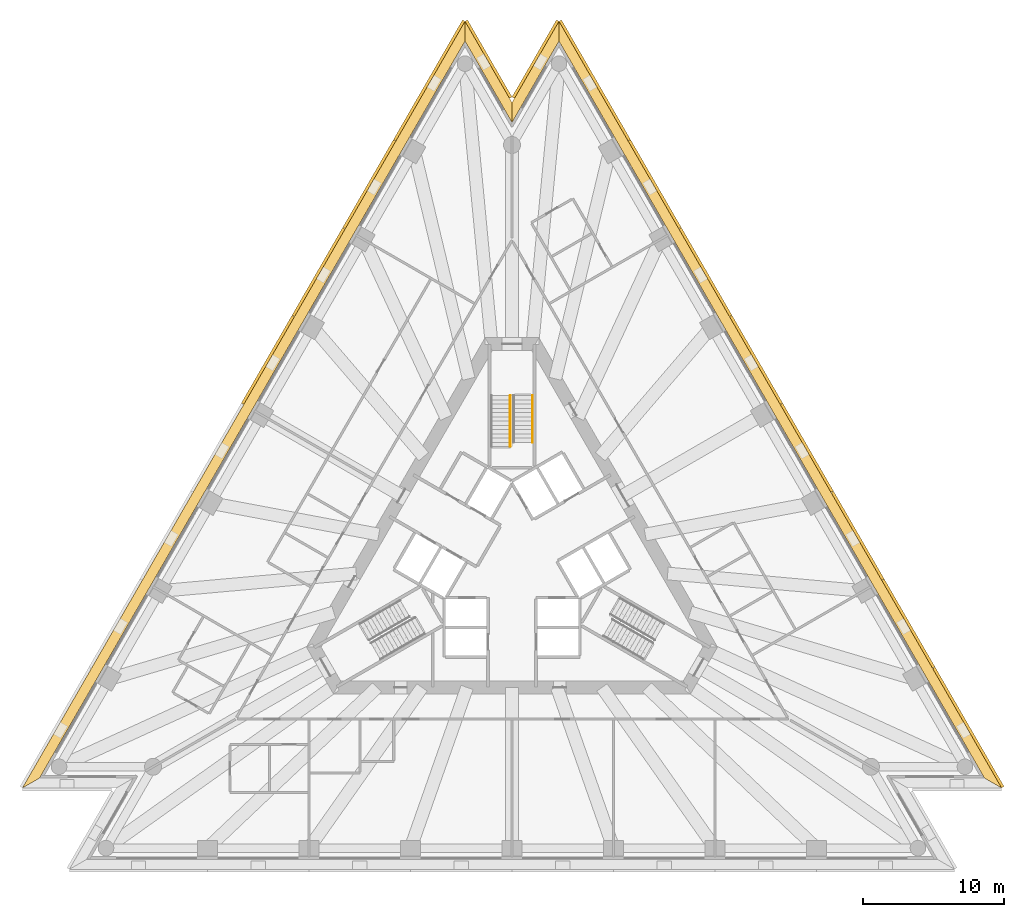
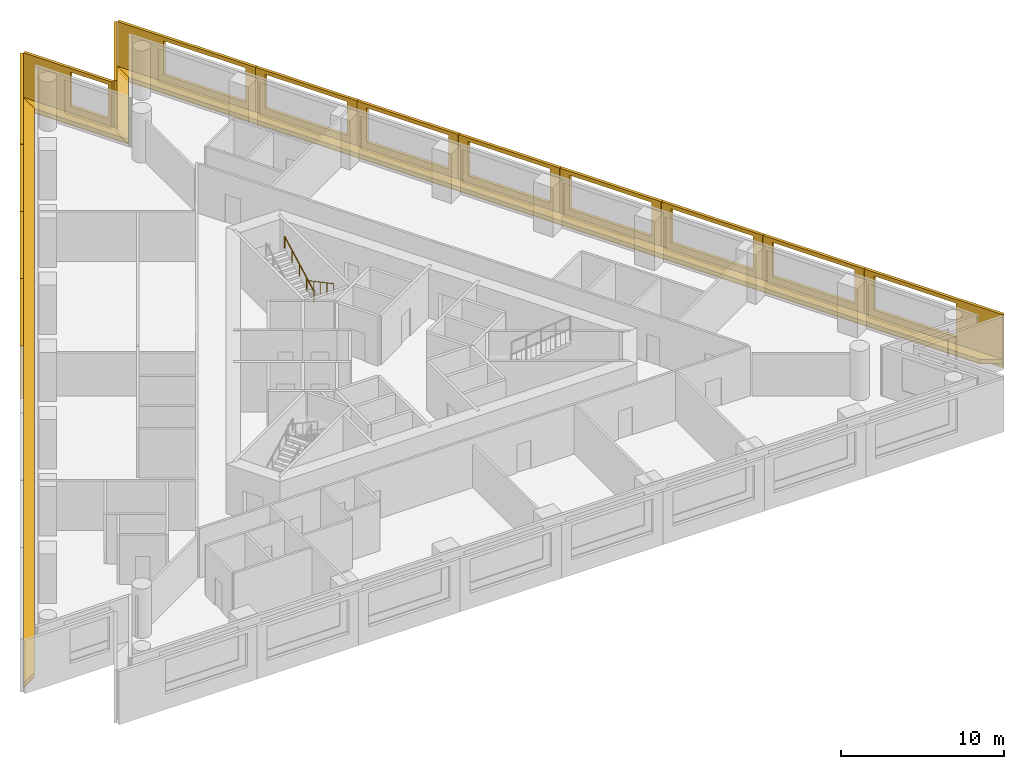
# One storey, part 11 of 11: 18 shading devices, 4 coverings, 2 railings, 1 element without a shape of its own.
"""IFC4 building model written with IfcOpenShell, lengths in metres."""

import ifcopenshell
import ifcopenshell.guid

model = None  # the IFC model being written
_history = None  # IfcOwnerHistory: only IFC2X3 demands one
_inside = {}  # id of a spatial element -> (the spatial element, [elements in it])
_under = {}  # id of a project, library or spatial element -> (it, [spatial elements below it])
_declared = {}  # id of a project -> (the project, [libraries it declares])
_typed = {}  # id of a type object -> (the type object, [elements of that type])
_made_of = {}  # id of a material, layer set ... -> (it, [elements and type objects made of it])


def new_model(schema):
    """Start an empty IFC model of exactly this schema.

    Asked for "IFC4X3", IfcOpenShell would pick the latest addendum, in which some entities
    have other attributes; the version numbers below select the first issue.
    IFC2X3 requires an IfcOwnerHistory on every rooted entity: one is made here for all.
    """
    global model, _history
    if schema == "IFC4X3":
        model = ifcopenshell.file(schema_version=(4, 3, 0, 0))
    else:
        model = ifcopenshell.file(schema=schema)
    _inside.clear()
    _under.clear()
    _declared.clear()
    _typed.clear()
    _made_of.clear()
    _history = None
    if model.schema == "IFC2X3":
        org = make("IfcOrganization", Name="unknown")
        user = make(
            "IfcPersonAndOrganization",
            ThePerson=make("IfcPerson", FamilyName="unknown"),
            TheOrganization=org,
        )
        app = make(
            "IfcApplication",
            ApplicationDeveloper=org,
            Version="unknown",
            ApplicationFullName="unknown",
            ApplicationIdentifier="unknown",
        )
        _history = make(
            "IfcOwnerHistory",
            OwningUser=user,
            OwningApplication=app,
            ChangeAction="ADDED",
            CreationDate=0,
        )
    return model


def make(cls, **values):
    """One entity of the class cls with the attributes given. An attribute that is None is left unset."""
    return model.create_entity(
        cls, **{name: value for name, value in values.items() if value is not None}
    )


def rooted(cls, **values):
    """An entity with a GlobalId (a new one), such as an element, a storey or a relation."""
    return make(cls, GlobalId=ifcopenshell.guid.new(), OwnerHistory=_history, **values)


def si_unit(unit_type, name, prefix=None):
    """IfcSIUnit, for example si_unit("LENGTHUNIT", "METRE", prefix="MILLI")."""
    return make("IfcSIUnit", UnitType=unit_type, Prefix=prefix, Name=name)


def assignment(units):
    """IfcUnitAssignment: the units of a project."""
    return None if units is None else make("IfcUnitAssignment", Units=units)


def point(xyz):
    """IfcCartesianPoint."""
    return None if xyz is None else make("IfcCartesianPoint", Coordinates=xyz)


def direction(xyz):
    """IfcDirection."""
    return None if xyz is None else make("IfcDirection", DirectionRatios=xyz)


def frame(location, z_axis=None, x_axis=None):
    """IfcAxis2Placement3D, a coordinate frame: its origin and axes. An axis left out is left unset."""
    return make(
        "IfcAxis2Placement3D",
        Location=point(location),
        Axis=direction(z_axis),
        RefDirection=direction(x_axis),
    )


def frame_2d(location, x_axis=None):
    """IfcAxis2Placement2D, a coordinate frame in the plane: its origin and x axis."""
    return make(
        "IfcAxis2Placement2D", Location=point(location), RefDirection=direction(x_axis)
    )


def origin():
    """The frame at (0, 0, 0) with its axes left unset."""
    return frame((0.0, 0.0, 0.0))


def origin_2d():
    """The frame at (0, 0) in the plane with its x axis left unset."""
    return frame_2d((0.0, 0.0))


def place(relative_to, where):
    """IfcLocalPlacement: puts the frame where relative to a parent placement (None: the world)."""
    return make(
        "IfcLocalPlacement", PlacementRelTo=relative_to, RelativePlacement=where
    )


def context(
    kind, dimensions, precision=None, world=None, true_north=None, identifier=None
):
    """IfcGeometricRepresentationContext, for example the 3D "Model" context."""
    return make(
        "IfcGeometricRepresentationContext",
        ContextIdentifier=identifier,
        ContextType=kind,
        CoordinateSpaceDimension=dimensions,
        Precision=precision,
        WorldCoordinateSystem=world,
        TrueNorth=true_north,
    )


def subcontext(parent, identifier, kind, view, scale=None):
    """IfcGeometricRepresentationSubContext, for example "Body" below "Model"."""
    return make(
        "IfcGeometricRepresentationSubContext",
        ContextIdentifier=identifier,
        ContextType=kind,
        ParentContext=parent,
        TargetScale=scale,
        TargetView=view,
    )


def project(units=None, contexts=None):
    """IfcProject with its units and contexts."""
    return rooted(
        "IfcProject",
        Name="project",
        RepresentationContexts=contexts,
        UnitsInContext=assignment(units),
    )


def spatial(cls, under=None, at=None, **own):
    """A site, building, storey or space (cls), placed at a placement, below another one or the project."""
    s = rooted(cls, ObjectPlacement=at, **own)
    if under is not None:
        _under.setdefault(under.id(), (under, []))[1].append(s)
    return s


def polyline(points):
    """IfcPolyline through the points."""
    return make("IfcPolyline", Points=[point(p) for p in points])


def profile(cls, at=None, kind="AREA", **sizes):
    """A parametric profile (cls). Its sizes go by their IFC names, for example OverallWidth=200.0."""
    return make(cls, ProfileType=kind, Position=at, **sizes)


def circle(**sizes):
    """IfcCircleProfileDef."""
    return profile("IfcCircleProfileDef", **sizes)


def outline(outer, holes=None, kind="AREA"):
    """IfcArbitraryClosedProfileDef: a profile drawn as a closed curve; with holes, ...WithVoids."""
    if holes is None:
        return make("IfcArbitraryClosedProfileDef", ProfileType=kind, OuterCurve=outer)
    return make(
        "IfcArbitraryProfileDefWithVoids",
        ProfileType=kind,
        OuterCurve=outer,
        InnerCurves=holes,
    )


def extrude(swept, where, along, depth):
    """IfcExtrudedAreaSolid: the profile swept, set in the frame where, extruded along a direction by depth."""
    return make(
        "IfcExtrudedAreaSolid",
        SweptArea=swept,
        Position=where,
        ExtrudedDirection=direction(along),
        Depth=depth,
    )


def shape(context_of_items, identifier, shape_type, items):
    """IfcShapeRepresentation: the items that make up one representation, for example the "Body"."""
    return make(
        "IfcShapeRepresentation",
        ContextOfItems=context_of_items,
        RepresentationIdentifier=identifier,
        RepresentationType=shape_type,
        Items=items,
    )


def material(Name=None, Category=None):
    """IfcMaterial."""
    return make("IfcMaterial", Name=Name, Category=Category)


def layer(
    of_material, thickness, ventilated=None, Name=None, Category=None, Priority=None
):
    """IfcMaterialLayer: one layer of a wall or slab, of a material (None: an air gap)."""
    return make(
        "IfcMaterialLayer",
        Material=of_material,
        LayerThickness=thickness,
        IsVentilated=ventilated,
        Name=Name,
        Category=Category,
        Priority=Priority,
    )


def layer_set(layers, Name=None):
    """IfcMaterialLayerSet."""
    return make("IfcMaterialLayerSet", MaterialLayers=layers, LayerSetName=Name)


def layer_usage(for_layer_set, set_direction, sense, offset, extent=None):
    """IfcMaterialLayerSetUsage: how a layer set lies in its element."""
    return make(
        "IfcMaterialLayerSetUsage",
        ForLayerSet=for_layer_set,
        LayerSetDirection=set_direction,
        DirectionSense=sense,
        OffsetFromReferenceLine=offset,
        ReferenceExtent=extent,
    )


def made_of(thing, what):
    """Note that an element or type object is made of a material, layer set ...; save() writes the relation."""
    if what is not None:
        _made_of.setdefault(what.id(), (what, []))[1].append(thing)
    return thing


def type_object(cls, material=None, **own):
    """A type object (cls), such as IfcWallType, which elements share."""
    return made_of(rooted(cls, **own), material)


def element(
    cls,
    number,
    at=None,
    inside=None,
    cuts=None,
    type_object=None,
    material=None,
    context=None,
    identifier="Body",
    shape_type=None,
    held_by="IfcProductDefinitionShape",
    body=None,
    shapes=None,
    **own,
):
    """One element of the class cls, such as IfcWall. Its Tag is "e" and its number.

    at: its placement. inside: the storey or other place that contains it. cuts: it is an
    opening in that element (IfcRelVoidsElement). A single representation is given by context,
    identifier, shape_type and body (its items); several are given by shapes. held_by: the class
    of the entity that holds the representations. save() writes the other relations.
    """
    e = rooted(cls, Tag="e%d" % number, ObjectPlacement=at, **own)
    if body is not None:
        shapes = [shape(context, identifier, shape_type, body)]
    if shapes is not None:
        e.Representation = make(held_by, Representations=shapes)
    if inside is not None:
        _inside.setdefault(inside.id(), (inside, []))[1].append(e)
    if cuts is not None:
        rooted(
            "IfcRelVoidsElement", RelatingBuildingElement=cuts, RelatedOpeningElement=e
        )
    if type_object is not None:
        _typed.setdefault(type_object.id(), (type_object, []))[1].append(e)
    return made_of(e, material)


def aggregate(whole, parts):
    """IfcRelAggregates: a whole, such as a stair, and the parts it consists of."""
    return rooted("IfcRelAggregates", RelatingObject=whole, RelatedObjects=parts)


def save(model, path):
    """Write the relations noted so far, then the file.

    IfcRelAggregates (storeys below a building ...), IfcRelContainedInSpatialStructure (elements
    in a storey), IfcRelDefinesByType, IfcRelAssociatesMaterial and IfcRelDeclares: one each for
    every whole, place, type object, material and project.
    """
    for whole, parts in _under.values():
        aggregate(whole, parts)
    for where, things in _inside.values():
        rooted(
            "IfcRelContainedInSpatialStructure",
            RelatedElements=things,
            RelatingStructure=where,
        )
    for kind, things in _typed.values():
        rooted("IfcRelDefinesByType", RelatedObjects=things, RelatingType=kind)
    for what, things in _made_of.values():
        rooted("IfcRelAssociatesMaterial", RelatedObjects=things, RelatingMaterial=what)
    for by, libraries in _declared.values():
        rooted("IfcRelDeclares", RelatingContext=by, RelatedDefinitions=libraries)
    model.write(path)


model = new_model("IFC4")

# Units and contexts
model_context = context("Model", 3, precision=1e-05, world=origin(), true_north=direction((0.0, 1.0)))
body_context = subcontext(model_context, "Body", "Model", "MODEL_VIEW")
ifc_project = project(units=[si_unit("LENGTHUNIT", "METRE"), si_unit("AREAUNIT", "SQUARE_METRE"), si_unit("VOLUMEUNIT", "CUBIC_METRE"), si_unit("PLANEANGLEUNIT", "RADIAN"), si_unit("MASSUNIT", "GRAM", prefix="KILO")], contexts=[model_context])

# Site, building, storey
site_placement = place(None, origin())
site = spatial("IfcSite", under=ifc_project, at=site_placement, CompositionType="ELEMENT")
building_placement = place(site_placement, origin())
building = spatial("IfcBuilding", under=site, at=building_placement, Name="Triada Interchange Tower", CompositionType="ELEMENT")
storey_placement = place(building_placement, frame((0.0, 0.0, 83.300048828125)))
storey = spatial("IfcBuildingStorey", under=building, at=storey_placement, Name="L18", CompositionType="ELEMENT", Elevation=83.300048828125)

# Coverings
ifc_material_1 = material(Name="Mineral fire-stop board")
ifc_layer_1 = layer(ifc_material_1, 0.0400390625, Name="Mineral fire-stop board")
ifc_material_2 = material(Name="Intumescent sealant")
ifc_layer_2 = layer(ifc_material_2, 0.010009765625, Name="Intumescent seal")
ifc_layer_set_1 = layer_set([ifc_layer_1, ifc_layer_2], Name="Cavity fire stop")
ifc_layer_usage = layer_usage(ifc_layer_set_1, "AXIS3", "POSITIVE", 0.0)
covering_type = type_object("IfcCoveringType", Name="Cavity fire stop", PredefinedType="INSULATION", material=ifc_layer_set_1)
covering_1_placement = place(storey_placement, origin())
element("IfcCovering", 1, at=covering_1_placement, inside=storey, type_object=covering_type, material=ifc_layer_usage, Name="Cavity fire stop L18 NW", PredefinedType="INSULATION", context=body_context, shape_type="SweptSolid", body=[
    extrude(outline(polyline([(-3.324951171875, 36.698974609375), (-3.324951171875, 38.09912109375), (-34.656982421875, -16.169921875), (-33.445068359375, -15.469970703125), (-3.324951171875, 36.698974609375)])), origin(), (0.0, 0.0, 1.0), 0.050048828125),
])
covering_2_placement = place(storey_placement, origin())
element("IfcCovering", 2, at=covering_2_placement, inside=storey, type_object=covering_type, material=ifc_layer_usage, Name="Cavity fire stop L18 NE", PredefinedType="INSULATION", context=body_context, shape_type="SweptSolid", body=[
    extrude(outline(polyline([(33.445068359375, -15.469970703125), (34.656982421875, -16.169921875), (3.324951171875, 38.09912109375), (3.324951171875, 36.698974609375), (33.445068359375, -15.469970703125)])), origin(), (0.0, 0.0, 1.0), 0.050048828125),
])
covering_3_placement = place(storey_placement, origin())
element("IfcCovering", 3, at=covering_3_placement, inside=storey, type_object=covering_type, material=ifc_layer_usage, Name="Cavity fire stop L18 N-1", PredefinedType="INSULATION", context=body_context, shape_type="SweptSolid", body=[
    extrude(outline(polyline([(3.324951171875, 36.698974609375), (3.324951171875, 38.09912109375), (0.0, 32.340087890625), (0.0, 30.93994140625), (3.324951171875, 36.698974609375)])), origin(), (0.0, 0.0, 1.0), 0.050048828125),
])
covering_4_placement = place(storey_placement, origin())
element("IfcCovering", 4, at=covering_4_placement, inside=storey, type_object=covering_type, material=ifc_layer_usage, Name="Cavity fire stop L18 N-2", PredefinedType="INSULATION", context=body_context, shape_type="SweptSolid", body=[
    extrude(outline(polyline([(0.0, 30.93994140625), (0.0, 32.340087890625), (-3.324951171875, 38.09912109375), (-3.324951171875, 36.698974609375), (0.0, 30.93994140625)])), origin(), (0.0, 0.0, 1.0), 0.050048828125),
])

# Shading devices
ifc_material_3 = material(Name="Aluminium louvre", Category="aluminium")
shading_device_type_1 = type_object("IfcShadingDeviceType", Name="Cavity louvre grille", PredefinedType="JALOUSIE", material=ifc_material_3)
shading_device_1_placement = place(storey_placement, frame((0.0, 0.0, 0.050048828125)))
element("IfcShadingDevice", 5, at=shading_device_1_placement, inside=storey, type_object=shading_device_type_1, Name="Cavity louvre grille L18 NW", PredefinedType="JALOUSIE", context=body_context, shape_type="SweptSolid", body=[
    extrude(outline(polyline([(-3.324951171875, 36.698974609375), (-3.324951171875, 38.09912109375), (-34.656982421875, -16.169921875), (-33.445068359375, -15.469970703125), (-3.324951171875, 36.698974609375)])), origin(), (0.0, 0.0, 1.0), 0.2998046875),
])
shading_device_2_placement = place(storey_placement, frame((0.0, 0.0, 0.050048828125)))
element("IfcShadingDevice", 6, at=shading_device_2_placement, inside=storey, type_object=shading_device_type_1, Name="Cavity louvre grille L18 NE", PredefinedType="JALOUSIE", context=body_context, shape_type="SweptSolid", body=[
    extrude(outline(polyline([(33.445068359375, -15.469970703125), (34.656982421875, -16.169921875), (3.324951171875, 38.09912109375), (3.324951171875, 36.698974609375), (33.445068359375, -15.469970703125)])), origin(), (0.0, 0.0, 1.0), 0.2998046875),
])
shading_device_3_placement = place(storey_placement, frame((0.0, 0.0, 0.050048828125)))
element("IfcShadingDevice", 7, at=shading_device_3_placement, inside=storey, type_object=shading_device_type_1, Name="Cavity louvre grille L18 N-1", PredefinedType="JALOUSIE", context=body_context, shape_type="SweptSolid", body=[
    extrude(outline(polyline([(3.324951171875, 36.698974609375), (3.324951171875, 38.09912109375), (0.0, 32.340087890625), (0.0, 30.93994140625), (3.324951171875, 36.698974609375)])), origin(), (0.0, 0.0, 1.0), 0.2998046875),
])
shading_device_4_placement = place(storey_placement, frame((0.0, 0.0, 0.050048828125)))
element("IfcShadingDevice", 8, at=shading_device_4_placement, inside=storey, type_object=shading_device_type_1, Name="Cavity louvre grille L18 N-2", PredefinedType="JALOUSIE", context=body_context, shape_type="SweptSolid", body=[
    extrude(outline(polyline([(0.0, 30.93994140625), (0.0, 32.340087890625), (-3.324951171875, 38.09912109375), (-3.324951171875, 36.698974609375), (0.0, 30.93994140625)])), origin(), (0.0, 0.0, 1.0), 0.2998046875),
])
ifc_material_4 = material(Name="Concrete C50/60 precast", Category="concrete")
ifc_layer_3 = layer(ifc_material_4, 0.02001953125, Name="Exposed aggregate face")
ifc_layer_4 = layer(ifc_material_4, 0.179931640625, Name="Precast concrete screen")
ifc_layer_set_2 = layer_set([ifc_layer_3, ifc_layer_4], Name="Outer skin screen panel 3980")
shading_device_type_2 = type_object("IfcShadingDeviceType", Name="Outer skin screen panel 3980", PredefinedType="SHUTTER", material=ifc_layer_set_2)
shading_device_5_placement = place(storey_placement, frame((-3.330078125, 38.090087890625, -0.2900390625), z_axis=(0.0, 0.0, 1.0), x_axis=(-0.500034220881, -0.866005645448, 0.0)))
element("IfcShadingDevice", 9, at=shading_device_5_placement, inside=storey, type_object=shading_device_type_2, Name="Outer skin screen panel L18 01", PredefinedType="SHUTTER", context=body_context, shape_type="SweptSolid", body=[
    extrude(outline(polyline([(0.0, 0.0), (9.760986328125, 0.0), (9.760986328125, 3.97998046875), (0.0, 3.97998046875), (0.0, 0.0)]), holes=[polyline([(3.279541015625, 1.139892578125), (3.279541015625, 3.68994140625), (9.07958984375, 3.68994140625), (9.07958984375, 1.139892578125), (3.279541015625, 1.139892578125)])]), frame((0.0, 0.0, 0.0), z_axis=(0.0, -1.0, 0.0), x_axis=(1.0, 0.0, 0.0)), (0.0, 0.0, 1.0), 0.199951171875),
])
shading_device_6_placement = place(storey_placement, frame((-8.220947265625, 29.618896484375, -0.2900390625), z_axis=(0.0, 0.0, 1.0), x_axis=(-0.500024340962, -0.866011350067, 0.0)))
element("IfcShadingDevice", 10, at=shading_device_6_placement, inside=storey, type_object=shading_device_type_2, Name="Outer skin screen panel L18 02", PredefinedType="SHUTTER", context=body_context, shape_type="SweptSolid", body=[
    extrude(outline(polyline([(0.0, 0.0), (7.163818359375, 0.0), (7.163818359375, 3.97998046875), (0.0, 3.97998046875), (0.0, 0.0)]), holes=[polyline([(0.681884765625, 1.139892578125), (0.681884765625, 3.68994140625), (6.48193359375, 3.68994140625), (6.48193359375, 1.139892578125), (0.681884765625, 1.139892578125)])]), frame((0.0, 0.0, 0.0), z_axis=(0.0, -1.0, 0.0), x_axis=(1.0, 0.0, 0.0)), (0.0, 0.0, 1.0), 0.199951171875),
])
shading_device_7_placement = place(storey_placement, frame((-11.81298828125, 23.39794921875, -0.2900390625), z_axis=(0.0, 0.0, 1.0), x_axis=(-0.499922093299, -0.866070378567, 0.0)))
element("IfcShadingDevice", 11, at=shading_device_7_placement, inside=storey, type_object=shading_device_type_2, Name="Outer skin screen panel L18 03", PredefinedType="SHUTTER", context=body_context, shape_type="SweptSolid", body=[
    extrude(outline(polyline([(0.0, 0.0), (7.163330078125, 0.0), (7.163330078125, 3.97998046875), (0.0, 3.97998046875), (0.0, 0.0)]), holes=[polyline([(0.681396484375, 1.139892578125), (0.681396484375, 3.68994140625), (6.4814453125, 3.68994140625), (6.4814453125, 1.139892578125), (0.681396484375, 1.139892578125)])]), frame((0.0, 0.0, 0.0), z_axis=(0.0, -1.0, 0.0), x_axis=(1.0, 0.0, 0.0)), (0.0, 0.0, 1.0), 0.199951171875),
])
shading_device_8_placement = place(storey_placement, frame((-15.404052734375, 17.177001953125, -0.2900390625), z_axis=(0.0, 0.0, 1.0), x_axis=(-0.500009583697, -0.866019870564, 0.0)))
element("IfcShadingDevice", 12, at=shading_device_8_placement, inside=storey, type_object=shading_device_type_2, Name="Outer skin screen panel L18 04", PredefinedType="SHUTTER", context=body_context, shape_type="SweptSolid", body=[
    extrude(outline(polyline([(0.0, 0.0), (7.163818359375, 0.0), (7.163818359375, 3.97998046875), (0.0, 3.97998046875), (0.0, 0.0)]), holes=[polyline([(0.681884765625, 1.139892578125), (0.681884765625, 3.68994140625), (6.48193359375, 3.68994140625), (6.48193359375, 1.139892578125), (0.681884765625, 1.139892578125)])]), frame((0.0, 0.0, 0.0), z_axis=(0.0, -1.0, 0.0), x_axis=(1.0, 0.0, 0.0)), (0.0, 0.0, 1.0), 0.199951171875),
])
shading_device_9_placement = place(storey_placement, frame((34.652099609375, -16.160888671875, -0.2900390625), z_axis=(0.0, 0.0, 1.0), x_axis=(-0.500020487159, 0.866013575194, 0.0)))
element("IfcShadingDevice", 13, at=shading_device_9_placement, inside=storey, type_object=shading_device_type_2, Name="Outer skin screen panel L18 21", PredefinedType="SHUTTER", context=body_context, shape_type="SweptSolid", body=[
    extrude(outline(polyline([(0.0, 0.0), (9.76171875, 0.0), (9.76171875, 3.97998046875), (0.0, 3.97998046875), (0.0, 0.0)]), holes=[polyline([(3.279296875, 1.139892578125), (3.279296875, 3.68994140625), (9.079345703125, 3.68994140625), (9.079345703125, 1.139892578125), (3.279296875, 1.139892578125)])]), frame((0.0, 0.0, 0.0), z_axis=(0.0, -1.0, 0.0), x_axis=(1.0, 0.0, 0.0)), (0.0, 0.0, 1.0), 0.199951171875),
])
shading_device_10_placement = place(storey_placement, frame((29.760986328125, -7.68994140625, -0.2900390625), z_axis=(0.0, 0.0, 1.0), x_axis=(-0.499922093299, 0.866070378567, 0.0)))
element("IfcShadingDevice", 14, at=shading_device_10_placement, inside=storey, type_object=shading_device_type_2, Name="Outer skin screen panel L18 22", PredefinedType="SHUTTER", context=body_context, shape_type="SweptSolid", body=[
    extrude(outline(polyline([(0.0, 0.0), (7.163330078125, 0.0), (7.163330078125, 3.97998046875), (0.0, 3.97998046875), (0.0, 0.0)]), holes=[polyline([(0.681640625, 1.139892578125), (0.681640625, 3.68994140625), (6.481689453125, 3.68994140625), (6.481689453125, 1.139892578125), (0.681640625, 1.139892578125)])]), frame((0.0, 0.0, 0.0), z_axis=(0.0, -1.0, 0.0), x_axis=(1.0, 0.0, 0.0)), (0.0, 0.0, 1.0), 0.199951171875),
])
shading_device_11_placement = place(storey_placement, frame((26.169921875, -1.468994140625, -0.2900390625), z_axis=(0.0, 0.0, 1.0), x_axis=(-0.500009583697, 0.866019870564, 0.0)))
element("IfcShadingDevice", 15, at=shading_device_11_placement, inside=storey, type_object=shading_device_type_2, Name="Outer skin screen panel L18 23", PredefinedType="SHUTTER", context=body_context, shape_type="SweptSolid", body=[
    extrude(outline(polyline([(0.0, 0.0), (7.163818359375, 0.0), (7.163818359375, 3.97998046875), (0.0, 3.97998046875), (0.0, 0.0)]), holes=[polyline([(0.68212890625, 1.139892578125), (0.68212890625, 3.68994140625), (6.482177734375, 3.68994140625), (6.482177734375, 1.139892578125), (0.68212890625, 1.139892578125)])]), frame((0.0, 0.0, 0.0), z_axis=(0.0, -1.0, 0.0), x_axis=(1.0, 0.0, 0.0)), (0.0, 0.0, 1.0), 0.199951171875),
])
shading_device_12_placement = place(storey_placement, frame((22.577880859375, 4.751953125, -0.2900390625), z_axis=(0.0, 0.0, 1.0), x_axis=(-0.499984023993, 0.86603462734, 0.0)))
element("IfcShadingDevice", 16, at=shading_device_12_placement, inside=storey, type_object=shading_device_type_2, Name="Outer skin screen panel L18 24", PredefinedType="SHUTTER", context=body_context, shape_type="SweptSolid", body=[
    extrude(outline(polyline([(0.0, 0.0), (7.163818359375, 0.0), (7.163818359375, 3.97998046875), (0.0, 3.97998046875), (0.0, 0.0)]), holes=[polyline([(0.681640625, 1.139892578125), (0.681640625, 3.68994140625), (6.481689453125, 3.68994140625), (6.481689453125, 1.139892578125), (0.681640625, 1.139892578125)])]), frame((0.0, 0.0, 0.0), z_axis=(0.0, -1.0, 0.0), x_axis=(1.0, 0.0, 0.0)), (0.0, 0.0, 1.0), 0.199951171875),
])
shading_device_13_placement = place(storey_placement, frame((18.986083984375, 10.972900390625, -0.2900390625), z_axis=(0.0, 0.0, 1.0), x_axis=(-0.500009583697, 0.866019870564, 0.0)))
element("IfcShadingDevice", 17, at=shading_device_13_placement, inside=storey, type_object=shading_device_type_2, Name="Outer skin screen panel L18 25", PredefinedType="SHUTTER", context=body_context, shape_type="SweptSolid", body=[
    extrude(outline(polyline([(0.0, 0.0), (7.163818359375, 0.0), (7.163818359375, 3.97998046875), (0.0, 3.97998046875), (0.0, 0.0)]), holes=[polyline([(0.68212890625, 1.139892578125), (0.68212890625, 3.68994140625), (6.482177734375, 3.68994140625), (6.482177734375, 1.139892578125), (0.68212890625, 1.139892578125)])]), frame((0.0, 0.0, 0.0), z_axis=(0.0, -1.0, 0.0), x_axis=(1.0, 0.0, 0.0)), (0.0, 0.0, 1.0), 0.199951171875),
])
shading_device_14_placement = place(storey_placement, frame((15.39404296875, 17.194091796875, -0.2900390625), z_axis=(0.0, 0.0, 1.0), x_axis=(-0.499922093299, 0.866070378567, 0.0)))
element("IfcShadingDevice", 18, at=shading_device_14_placement, inside=storey, type_object=shading_device_type_2, Name="Outer skin screen panel L18 26", PredefinedType="SHUTTER", context=body_context, shape_type="SweptSolid", body=[
    extrude(outline(polyline([(0.0, 0.0), (7.163330078125, 0.0), (7.163330078125, 3.97998046875), (0.0, 3.97998046875), (0.0, 0.0)]), holes=[polyline([(0.681640625, 1.139892578125), (0.681640625, 3.68994140625), (6.481689453125, 3.68994140625), (6.481689453125, 1.139892578125), (0.681640625, 1.139892578125)])]), frame((0.0, 0.0, 0.0), z_axis=(0.0, -1.0, 0.0), x_axis=(1.0, 0.0, 0.0)), (0.0, 0.0, 1.0), 0.199951171875),
])
shading_device_15_placement = place(storey_placement, frame((11.802978515625, 23.4150390625, -0.2900390625), z_axis=(0.0, 0.0, 1.0), x_axis=(-0.500024340962, 0.866011350067, 0.0)))
element("IfcShadingDevice", 19, at=shading_device_15_placement, inside=storey, type_object=shading_device_type_2, Name="Outer skin screen panel L18 27", PredefinedType="SHUTTER", context=body_context, shape_type="SweptSolid", body=[
    extrude(outline(polyline([(0.0, 0.0), (7.163818359375, 0.0), (7.163818359375, 3.97998046875), (0.0, 3.97998046875), (0.0, 0.0)]), holes=[polyline([(0.68212890625, 1.139892578125), (0.68212890625, 3.68994140625), (6.482177734375, 3.68994140625), (6.482177734375, 1.139892578125), (0.68212890625, 1.139892578125)])]), frame((0.0, 0.0, 0.0), z_axis=(0.0, -1.0, 0.0), x_axis=(1.0, 0.0, 0.0)), (0.0, 0.0, 1.0), 0.199951171875),
])
shading_device_16_placement = place(storey_placement, frame((8.2109375, 29.636962890625, -0.2900390625), z_axis=(0.0, 0.0, 1.0), x_axis=(-0.500034220881, 0.866005645448, 0.0)))
element("IfcShadingDevice", 20, at=shading_device_16_placement, inside=storey, type_object=shading_device_type_2, Name="Outer skin screen panel L18 28", PredefinedType="SHUTTER", context=body_context, shape_type="SweptSolid", body=[
    extrude(outline(polyline([(0.0, 0.0), (9.760986328125, 0.0), (9.760986328125, 3.97998046875), (0.0, 3.97998046875), (0.0, 0.0)]), holes=[polyline([(0.681396484375, 1.139892578125), (0.681396484375, 3.68994140625), (6.4814453125, 3.68994140625), (6.4814453125, 1.139892578125), (0.681396484375, 1.139892578125)])]), frame((0.0, 0.0, 0.0), z_axis=(0.0, -1.0, 0.0), x_axis=(1.0, 0.0, 0.0)), (0.0, 0.0, 1.0), 0.199951171875),
])
shading_device_17_placement = place(storey_placement, frame((3.320068359375, 38.090087890625, -0.2900390625), z_axis=(0.0, 0.0, 1.0), x_axis=(-0.500075608319, -0.8659817469, 0.0)))
element("IfcShadingDevice", 21, at=shading_device_17_placement, inside=storey, type_object=shading_device_type_2, Name="Outer skin screen panel L18 29", PredefinedType="SHUTTER", context=body_context, shape_type="SweptSolid", body=[
    extrude(outline(polyline([(0.0, 0.0), (6.283203125, 0.0), (6.283203125, 3.97998046875), (0.0, 3.97998046875), (0.0, 0.0)]), holes=[polyline([(3.175537109375, 1.139892578125), (3.175537109375, 3.68994140625), (5.9833984375, 3.68994140625), (5.9833984375, 1.139892578125), (3.175537109375, 1.139892578125)])]), frame((0.0, 0.0, 0.0), z_axis=(0.0, -1.0, 0.0), x_axis=(1.0, 0.0, 0.0)), (0.0, 0.0, 1.0), 0.199951171875),
])
shading_device_18_placement = place(storey_placement, frame((-0.177978515625, 32.64892578125, -0.2900390625), z_axis=(0.0, 0.0, 1.0), x_axis=(-0.500075608319, 0.8659817469, 0.0)))
element("IfcShadingDevice", 22, at=shading_device_18_placement, inside=storey, type_object=shading_device_type_2, Name="Outer skin screen panel L18 30", PredefinedType="SHUTTER", context=body_context, shape_type="SweptSolid", body=[
    extrude(outline(polyline([(0.0, 0.0), (6.283203125, 0.0), (6.283203125, 3.97998046875), (0.0, 3.97998046875), (0.0, 0.0)]), holes=[polyline([(0.300048828125, 1.139892578125), (0.300048828125, 3.68994140625), (2.9580078125, 3.68994140625), (2.9580078125, 1.139892578125), (0.300048828125, 1.139892578125)])]), frame((0.0, 0.0, 0.0), z_axis=(0.0, -1.0, 0.0), x_axis=(1.0, 0.0, 0.0)), (0.0, 0.0, 1.0), 0.199951171875),
])

# Stair, railings
ifc_material_5 = material(Name="Concrete C35/45", Category="concrete")
stair_type = type_object("IfcStairType", Name="HALF TURN STAIR 1400", PredefinedType="HALF_TURN_STAIR", material=ifc_material_5)
stair_placement = place(storey_placement, origin())
stair = element("IfcStair", 23, at=stair_placement, inside=storey, type_object=stair_type, Name="Exit stair S18-1", PredefinedType="HALF_TURN_STAIR")
ifc_material_6 = material(Name="Stainless steel 1.4301", Category="steel")
railing_type = type_object("IfcRailingType", Name="STAIR HANDRAIL 900", PredefinedType="HANDRAIL", material=ifc_material_6)
railing_1_placement = place(storey_placement, frame((1.449951171875, 11.60009765625, 0.159912109375)))
railing_1 = element("IfcRailing", 24, at=railing_1_placement, type_object=railing_type, Name="Handrail S18-1 1W", PredefinedType="HANDRAIL", context=body_context, shape_type="SweptSolid", body=[
    extrude(circle(Radius=0.02392578125, at=origin_2d()), frame((0.0, 0.0, 0.8759765625), z_axis=(0.0, -0.882354748157, 0.47058484719), x_axis=(1.0, 0.0, 0.0)), (0.0, 0.0, 1.0), 3.739990234375),
    extrude(circle(Radius=0.02099609375, at=origin_2d()), origin(), (0.0, 0.0, 1.0), 0.851806640625),
    extrude(circle(Radius=0.02099609375, at=origin_2d()), frame((0.0, -0.824951171875, 0.43994140625)), (0.0, 0.0, 1.0), 0.851806640625),
    extrude(circle(Radius=0.02099609375, at=origin_2d()), frame((0.0, -1.64990234375, 0.8798828125)), (0.0, 0.0, 1.0), 0.851806640625),
    extrude(circle(Radius=0.02099609375, at=origin_2d()), frame((0.0, -2.47509765625, 1.320068359375)), (0.0, 0.0, 1.0), 0.851806640625),
    extrude(circle(Radius=0.02099609375, at=origin_2d()), frame((0.0, -3.300048828125, 1.760009765625)), (0.0, 0.0, 1.0), 0.851806640625),
])
railing_2_placement = place(storey_placement, frame((-0.1201171875, 8.0, 2.079833984375)))
railing_2 = element("IfcRailing", 25, at=railing_2_placement, type_object=railing_type, Name="Handrail S18-1 2C", PredefinedType="HANDRAIL", context=body_context, shape_type="SweptSolid", body=[
    extrude(circle(Radius=0.02392578125, at=origin_2d()), frame((0.0, 0.0, 0.8759765625), z_axis=(0.0, 0.882341346394, 0.470609974867), x_axis=(-1.0, 0.0, 0.0)), (0.0, 0.0, 1.0), 4.080078125),
    extrude(circle(Radius=0.02099609375, at=origin_2d()), origin(), (0.0, 0.0, 1.0), 0.851806640625),
    extrude(circle(Radius=0.02099609375, at=origin_2d()), frame((0.0, 0.89990234375, 0.47998046875)), (0.0, 0.0, 1.0), 0.851806640625),
    extrude(circle(Radius=0.02099609375, at=origin_2d()), frame((0.0, 1.800048828125, 0.9599609375)), (0.0, 0.0, 1.0), 0.851806640625),
    extrude(circle(Radius=0.02099609375, at=origin_2d()), frame((0.0, 2.7001953125, 1.440185546875)), (0.0, 0.0, 1.0), 0.851806640625),
    extrude(circle(Radius=0.02099609375, at=origin_2d()), frame((0.0, 3.60009765625, 1.920166015625)), (0.0, 0.0, 1.0), 0.851806640625),
])
aggregate(stair, [railing_1, railing_2])

save(model, "model.ifc")
